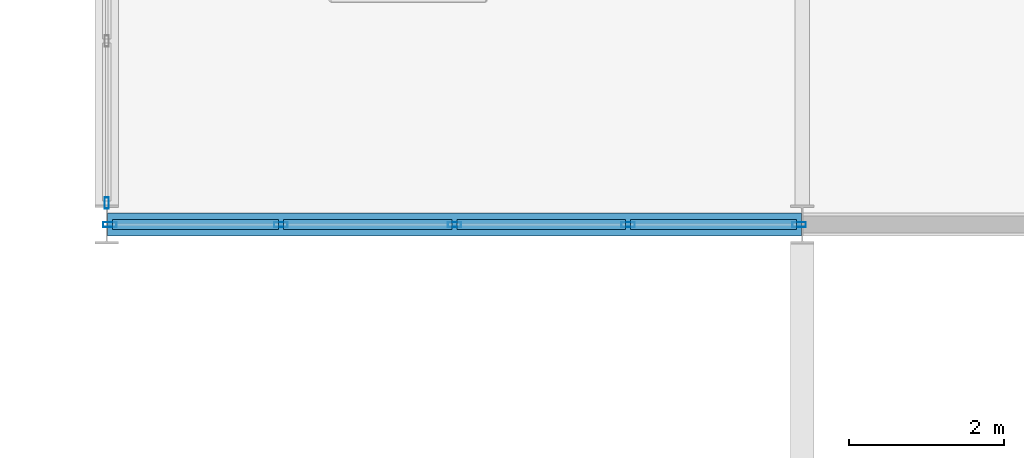
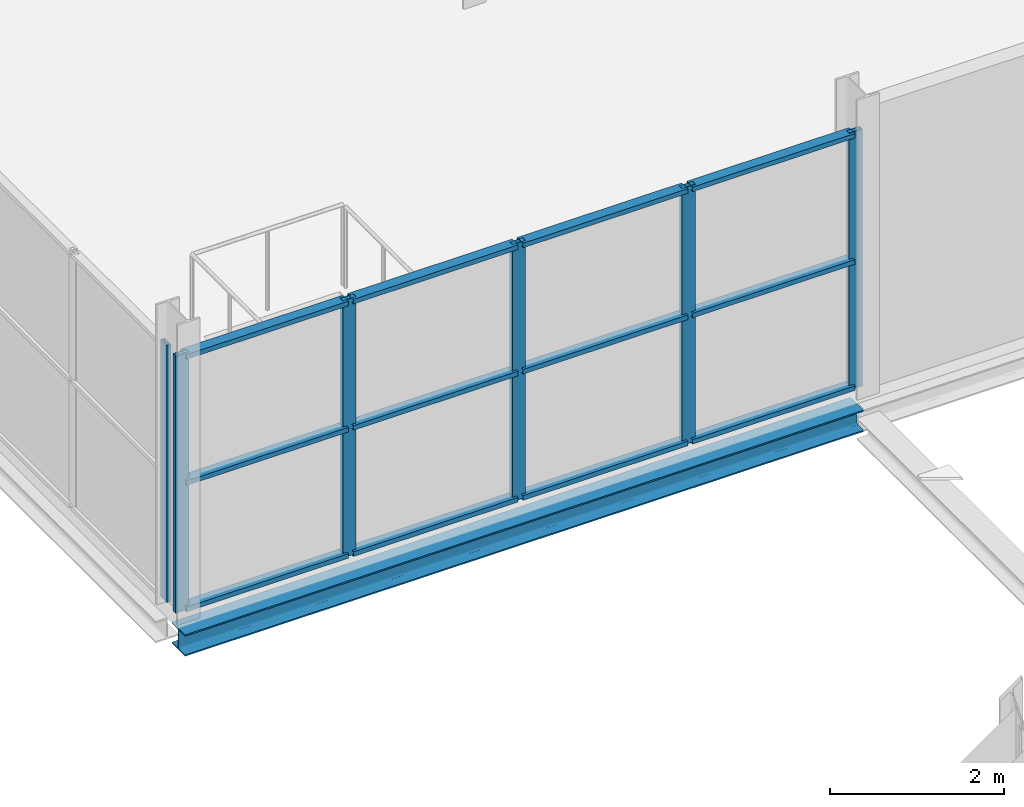
# One storey, part 39 of 135: 18 members, 1 beam, 2 elements without a shape of their own.
"""IFC4 building model written with IfcOpenShell, lengths in metres."""

from ifc_helpers import new_model, si_unit, direction, frame, origin, origin_2d, place, context, subcontext, project, spatial, hollow_rectangle, i_section, extrude, material, layer, layer_set, material_profile, profile_set, type_object, element, aggregate, save


model = new_model("IFC4")

# Units and contexts
model_context = context("Model", 3, precision=1e-05, world=origin(), true_north=direction((0.0, 1.0)))
body_context = subcontext(model_context, "Body", "Model", "MODEL_VIEW")
ifc_project = project(units=[si_unit("LENGTHUNIT", "METRE"), si_unit("AREAUNIT", "SQUARE_METRE"), si_unit("VOLUMEUNIT", "CUBIC_METRE"), si_unit("PLANEANGLEUNIT", "RADIAN"), si_unit("MASSUNIT", "GRAM", prefix="KILO")], contexts=[model_context])

# Site, building, storey
site_placement = place(None, origin())
site = spatial("IfcSite", under=ifc_project, at=site_placement, CompositionType="ELEMENT")
building_placement = place(site_placement, origin())
building = spatial("IfcBuilding", under=site, at=building_placement, Name="Deido Ridge Mobility Hub", CompositionType="ELEMENT")
storey_placement = place(building_placement, frame((0.0, 0.0, 4.199951171875)))
storey = spatial("IfcBuildingStorey", under=building, at=storey_placement, Name="L01", CompositionType="ELEMENT", Elevation=4.199951171875)

# Curtain wall, member
ifc_material_1 = material(Name="Anodised aluminium EN AW-6063 T6", Category="aluminium")
ifc_layer_1 = layer(ifc_material_1, 0.179931640625, Name="Anodised aluminium EN AW-6063 T6")
ifc_layer_set_1 = layer_set([ifc_layer_1], Name="Anodised aluminium EN AW-6063 T6")
curtain_wall_type_1 = type_object("IfcCurtainWallType", Name="CW-UF-2", PredefinedType="USERDEFINED", material=ifc_layer_set_1)
curtain_wall_1_placement = place(storey_placement, origin())
curtain_wall_1 = element("IfcCurtainWall", 1, at=curtain_wall_1_placement, inside=storey, type_object=curtain_wall_type_1, Name="Unitised curtain wall CW2", ObjectType="UNITISED FACADE", PredefinedType="USERDEFINED")
ifc_material_profile_1 = material_profile(ifc_material_1, hollow_rectangle(XDim=0.054931640625, YDim=0.14501953125, WallThickness=0.00390625, at=origin_2d()), Name="RHS 55x145x4")
ifc_profile_set_1 = profile_set([ifc_material_profile_1], Name="Anodised aluminium EN AW-6063 T6")
member_type_1 = type_object("IfcMemberType", Name="MEM-MUL-55X145", PredefinedType="MULLION", material=ifc_profile_set_1)
member_1_placement = place(storey_placement, frame((0.0, 45.277587890625, 0.0), z_axis=(0.0, 0.0, 1.0), x_axis=(-1.0, 0.0, 0.0)))
member_1 = element("IfcMember", 2, at=member_1_placement, type_object=member_type_1, Name="CW2 mullion 1", PredefinedType="MULLION", context=body_context, shape_type="SweptSolid", body=[
    extrude(hollow_rectangle(XDim=0.054931640625, YDim=0.14501953125, WallThickness=0.00390625, at=origin_2d()), origin(), (0.0, 0.0, 1.0), 3.60009765625),
])
aggregate(curtain_wall_1, [member_1])

# Curtain wall, members
ifc_layer_2 = layer(ifc_material_1, 0.132080078125, Name="Anodised aluminium EN AW-6063 T6")
ifc_layer_set_2 = layer_set([ifc_layer_2], Name="Anodised aluminium EN AW-6063 T6")
curtain_wall_type_2 = type_object("IfcCurtainWallType", Name="CW-GS-1", PredefinedType="USERDEFINED", material=ifc_layer_set_2)
curtain_wall_2_placement = place(storey_placement, origin())
curtain_wall_2 = element("IfcCurtainWall", 3, at=curtain_wall_2_placement, inside=storey, type_object=curtain_wall_type_2, Name="Unitised curtain wall GS1", ObjectType="GLAZED SCREEN", PredefinedType="USERDEFINED")
ifc_material_profile_2 = material_profile(ifc_material_1, hollow_rectangle(XDim=0.06494140625, YDim=0.175048828125, WallThickness=0.00390625, at=origin_2d()), Name="RHS 65x175x4")
ifc_profile_set_2 = profile_set([ifc_material_profile_2], Name="Anodised aluminium EN AW-6063 T6")
member_type_2 = type_object("IfcMemberType", Name="MEM-MUL-65X175", PredefinedType="MULLION", material=ifc_profile_set_2)
member_2_placement = place(storey_placement, frame((0.039794921875, 45.0, 0.0), z_axis=(0.0, 0.0, 1.0), x_axis=(0.0, 1.0, 0.0)))
member_2 = element("IfcMember", 4, at=member_2_placement, type_object=member_type_2, Name="GS1 mullion 1", PredefinedType="MULLION", context=body_context, shape_type="SweptSolid", body=[
    extrude(hollow_rectangle(XDim=0.06494140625, YDim=0.175048828125, WallThickness=0.00390625, at=origin_2d()), origin(), (0.0, 0.0, 1.0), 3.60009765625),
])
member_3_placement = place(storey_placement, frame((2.253662109375, 45.0, 0.0), z_axis=(0.0, 0.0, 1.0), x_axis=(0.0, 1.0, 0.0)))
member_3 = element("IfcMember", 5, at=member_3_placement, type_object=member_type_2, Name="GS1 mullion 2", PredefinedType="MULLION", context=body_context, shape_type="SweptSolid", body=[
    extrude(hollow_rectangle(XDim=0.06494140625, YDim=0.175048828125, WallThickness=0.00390625, at=origin_2d()), origin(), (0.0, 0.0, 1.0), 3.60009765625),
])
member_4_placement = place(storey_placement, frame((4.5, 45.0, 0.0), z_axis=(0.0, 0.0, 1.0), x_axis=(0.0, 1.0, 0.0)))
member_4 = element("IfcMember", 6, at=member_4_placement, type_object=member_type_2, Name="GS1 mullion 3", PredefinedType="MULLION", context=body_context, shape_type="SweptSolid", body=[
    extrude(hollow_rectangle(XDim=0.06494140625, YDim=0.175048828125, WallThickness=0.00390625, at=origin_2d()), origin(), (0.0, 0.0, 1.0), 3.60009765625),
])
member_5_placement = place(storey_placement, frame((6.746337890625, 45.0, 0.0), z_axis=(0.0, 0.0, 1.0), x_axis=(0.0, 1.0, 0.0)))
member_5 = element("IfcMember", 7, at=member_5_placement, type_object=member_type_2, Name="GS1 mullion 4", PredefinedType="MULLION", context=body_context, shape_type="SweptSolid", body=[
    extrude(hollow_rectangle(XDim=0.06494140625, YDim=0.175048828125, WallThickness=0.00390625, at=origin_2d()), origin(), (0.0, 0.0, 1.0), 3.60009765625),
])
member_6_placement = place(storey_placement, frame((8.960205078125, 45.0, 0.0), z_axis=(0.0, 0.0, 1.0), x_axis=(0.0, 1.0, 0.0)))
member_6 = element("IfcMember", 8, at=member_6_placement, type_object=member_type_2, Name="GS1 mullion 5", PredefinedType="MULLION", context=body_context, shape_type="SweptSolid", body=[
    extrude(hollow_rectangle(XDim=0.06494140625, YDim=0.175048828125, WallThickness=0.00390625, at=origin_2d()), origin(), (0.0, 0.0, 1.0), 3.60009765625),
])
ifc_material_profile_3 = material_profile(ifc_material_1, hollow_rectangle(XDim=0.135009765625, YDim=0.06494140625, WallThickness=0.00390625, at=origin_2d()), Name="RHS 135x65x4")
ifc_profile_set_3 = profile_set([ifc_material_profile_3], Name="Anodised aluminium EN AW-6063 T6")
member_type_3 = type_object("IfcMemberType", Name="MEM-TRN-135X65", PredefinedType="USERDEFINED", material=ifc_profile_set_3)
member_7_placement = place(storey_placement, frame((0.072265625, 45.0, 0.032470703125), z_axis=(1.0, 0.0, 0.0), x_axis=(0.0, 1.0, 0.0)))
member_7 = element("IfcMember", 9, at=member_7_placement, type_object=member_type_3, Name="GS1 transom 1.1", ObjectType="TRANSOM", PredefinedType="USERDEFINED", context=body_context, shape_type="SweptSolid", body=[
    extrude(hollow_rectangle(XDim=0.135009765625, YDim=0.06494140625, WallThickness=0.00390625, at=origin_2d()), origin(), (0.0, 0.0, 1.0), 2.14892578125),
])
member_8_placement = place(storey_placement, frame((0.072265625, 45.0, 1.800048828125), z_axis=(1.0, 0.0, 0.0), x_axis=(0.0, 1.0, 0.0)))
member_8 = element("IfcMember", 10, at=member_8_placement, type_object=member_type_3, Name="GS1 transom 1.2", ObjectType="TRANSOM", PredefinedType="USERDEFINED", context=body_context, shape_type="SweptSolid", body=[
    extrude(hollow_rectangle(XDim=0.135009765625, YDim=0.06494140625, WallThickness=0.00390625, at=origin_2d()), origin(), (0.0, 0.0, 1.0), 2.14892578125),
])
member_9_placement = place(storey_placement, frame((0.072265625, 45.0, 3.567626953125), z_axis=(1.0, 0.0, 0.0), x_axis=(0.0, 1.0, 0.0)))
member_9 = element("IfcMember", 11, at=member_9_placement, type_object=member_type_3, Name="GS1 transom 1.3", ObjectType="TRANSOM", PredefinedType="USERDEFINED", context=body_context, shape_type="SweptSolid", body=[
    extrude(hollow_rectangle(XDim=0.135009765625, YDim=0.06494140625, WallThickness=0.00390625, at=origin_2d()), origin(), (0.0, 0.0, 1.0), 2.14892578125),
])
member_10_placement = place(storey_placement, frame((2.2861328125, 45.0, 0.032470703125), z_axis=(1.0, 0.0, 0.0), x_axis=(0.0, 1.0, 0.0)))
member_10 = element("IfcMember", 12, at=member_10_placement, type_object=member_type_3, Name="GS1 transom 2.1", ObjectType="TRANSOM", PredefinedType="USERDEFINED", context=body_context, shape_type="SweptSolid", body=[
    extrude(hollow_rectangle(XDim=0.135009765625, YDim=0.06494140625, WallThickness=0.00390625, at=origin_2d()), origin(), (0.0, 0.0, 1.0), 2.181396484375),
])
member_11_placement = place(storey_placement, frame((2.2861328125, 45.0, 1.800048828125), z_axis=(1.0, 0.0, 0.0), x_axis=(0.0, 1.0, 0.0)))
member_11 = element("IfcMember", 13, at=member_11_placement, type_object=member_type_3, Name="GS1 transom 2.2", ObjectType="TRANSOM", PredefinedType="USERDEFINED", context=body_context, shape_type="SweptSolid", body=[
    extrude(hollow_rectangle(XDim=0.135009765625, YDim=0.06494140625, WallThickness=0.00390625, at=origin_2d()), origin(), (0.0, 0.0, 1.0), 2.181396484375),
])
member_12_placement = place(storey_placement, frame((2.2861328125, 45.0, 3.567626953125), z_axis=(1.0, 0.0, 0.0), x_axis=(0.0, 1.0, 0.0)))
member_12 = element("IfcMember", 14, at=member_12_placement, type_object=member_type_3, Name="GS1 transom 2.3", ObjectType="TRANSOM", PredefinedType="USERDEFINED", context=body_context, shape_type="SweptSolid", body=[
    extrude(hollow_rectangle(XDim=0.135009765625, YDim=0.06494140625, WallThickness=0.00390625, at=origin_2d()), origin(), (0.0, 0.0, 1.0), 2.181396484375),
])
member_13_placement = place(storey_placement, frame((4.532470703125, 45.0, 0.032470703125), z_axis=(1.0, 0.0, 0.0), x_axis=(0.0, 1.0, 0.0)))
member_13 = element("IfcMember", 15, at=member_13_placement, type_object=member_type_3, Name="GS1 transom 3.1", ObjectType="TRANSOM", PredefinedType="USERDEFINED", context=body_context, shape_type="SweptSolid", body=[
    extrude(hollow_rectangle(XDim=0.135009765625, YDim=0.06494140625, WallThickness=0.00390625, at=origin_2d()), origin(), (0.0, 0.0, 1.0), 2.181396484375),
])
member_14_placement = place(storey_placement, frame((4.532470703125, 45.0, 1.800048828125), z_axis=(1.0, 0.0, 0.0), x_axis=(0.0, 1.0, 0.0)))
member_14 = element("IfcMember", 16, at=member_14_placement, type_object=member_type_3, Name="GS1 transom 3.2", ObjectType="TRANSOM", PredefinedType="USERDEFINED", context=body_context, shape_type="SweptSolid", body=[
    extrude(hollow_rectangle(XDim=0.135009765625, YDim=0.06494140625, WallThickness=0.00390625, at=origin_2d()), origin(), (0.0, 0.0, 1.0), 2.181396484375),
])
member_15_placement = place(storey_placement, frame((4.532470703125, 45.0, 3.567626953125), z_axis=(1.0, 0.0, 0.0), x_axis=(0.0, 1.0, 0.0)))
member_15 = element("IfcMember", 17, at=member_15_placement, type_object=member_type_3, Name="GS1 transom 3.3", ObjectType="TRANSOM", PredefinedType="USERDEFINED", context=body_context, shape_type="SweptSolid", body=[
    extrude(hollow_rectangle(XDim=0.135009765625, YDim=0.06494140625, WallThickness=0.00390625, at=origin_2d()), origin(), (0.0, 0.0, 1.0), 2.181396484375),
])
member_16_placement = place(storey_placement, frame((6.77880859375, 45.0, 0.032470703125), z_axis=(1.0, 0.0, 0.0), x_axis=(0.0, 1.0, 0.0)))
member_16 = element("IfcMember", 18, at=member_16_placement, type_object=member_type_3, Name="GS1 transom 4.1", ObjectType="TRANSOM", PredefinedType="USERDEFINED", context=body_context, shape_type="SweptSolid", body=[
    extrude(hollow_rectangle(XDim=0.135009765625, YDim=0.06494140625, WallThickness=0.00390625, at=origin_2d()), origin(), (0.0, 0.0, 1.0), 2.14892578125),
])
member_17_placement = place(storey_placement, frame((6.77880859375, 45.0, 1.800048828125), z_axis=(1.0, 0.0, 0.0), x_axis=(0.0, 1.0, 0.0)))
member_17 = element("IfcMember", 19, at=member_17_placement, type_object=member_type_3, Name="GS1 transom 4.2", ObjectType="TRANSOM", PredefinedType="USERDEFINED", context=body_context, shape_type="SweptSolid", body=[
    extrude(hollow_rectangle(XDim=0.135009765625, YDim=0.06494140625, WallThickness=0.00390625, at=origin_2d()), origin(), (0.0, 0.0, 1.0), 2.14892578125),
])
member_18_placement = place(storey_placement, frame((6.77880859375, 45.0, 3.567626953125), z_axis=(1.0, 0.0, 0.0), x_axis=(0.0, 1.0, 0.0)))
member_18 = element("IfcMember", 20, at=member_18_placement, type_object=member_type_3, Name="GS1 transom 4.3", ObjectType="TRANSOM", PredefinedType="USERDEFINED", context=body_context, shape_type="SweptSolid", body=[
    extrude(hollow_rectangle(XDim=0.135009765625, YDim=0.06494140625, WallThickness=0.00390625, at=origin_2d()), origin(), (0.0, 0.0, 1.0), 2.14892578125),
])
aggregate(curtain_wall_2, [member_2, member_3, member_4, member_5, member_6, member_7, member_8, member_9, member_10, member_11, member_12, member_13, member_14, member_15, member_16, member_17, member_18])

# Beam
ifc_material_2 = material(Name="Steel S355J2 EN 10025-2", Category="steel")
ifc_material_profile_4 = material_profile(ifc_material_2, i_section(OverallWidth=0.300048828125, OverallDepth=0.300048828125, WebThickness=0.010986328125, FlangeThickness=0.01904296875, FilletRadius=0.027099609375, at=origin_2d()), Name="HEB 300")
ifc_profile_set_4 = profile_set([ifc_material_profile_4], Name="Steel S355J2 EN 10025-2")
beam_type = type_object("IfcBeamType", Name="SPD-HEB300", PredefinedType="SPANDREL", material=ifc_profile_set_4)
beam_placement = place(storey_placement, frame((0.00732421875, 45.0, -0.39990234375), z_axis=(1.0, 0.0, 0.0), x_axis=(0.0, 1.0, 0.0)))
element("IfcBeam", 21, at=beam_placement, inside=storey, type_object=beam_type, Name="Floor beam SP1", PredefinedType="SPANDREL", context=body_context, shape_type="SweptSolid", body=[
    extrude(i_section(OverallWidth=0.300048828125, OverallDepth=0.300048828125, WebThickness=0.010986328125, FlangeThickness=0.01904296875, FilletRadius=0.027099609375, at=origin_2d()), origin(), (0.0, 0.0, 1.0), 8.9853515625),
])

save(model, "model.ifc")
